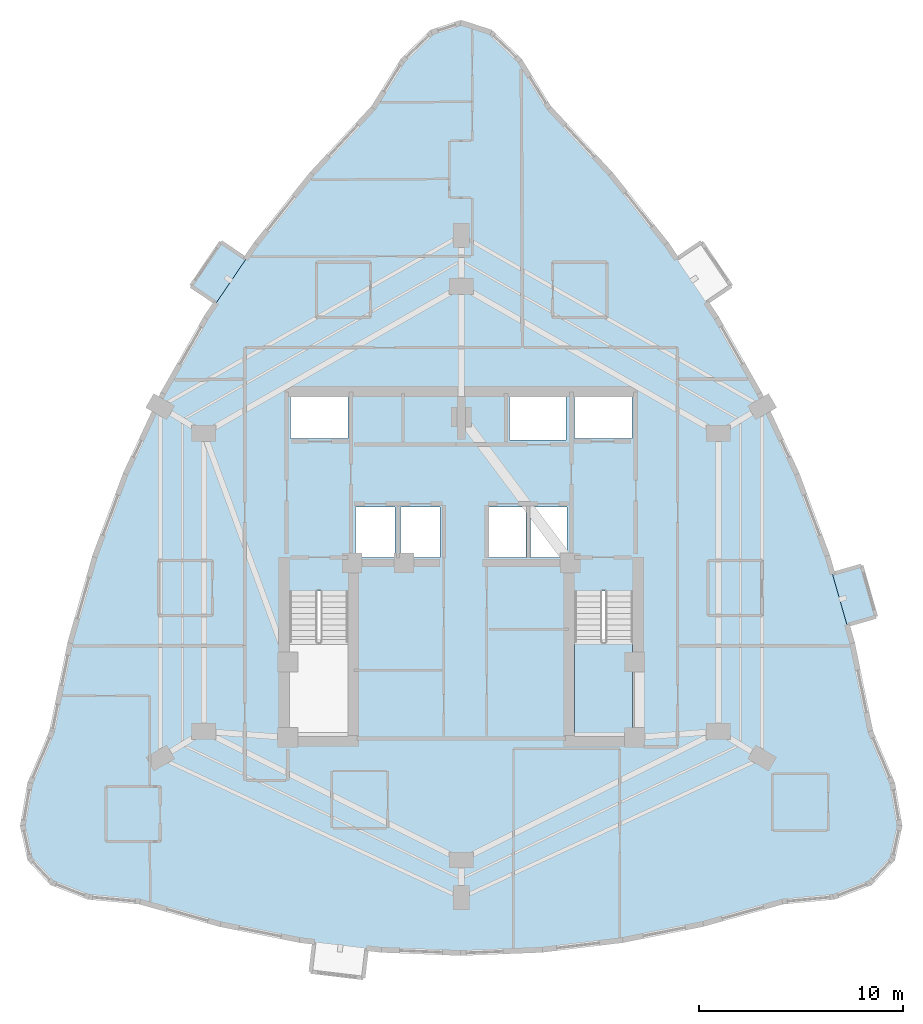
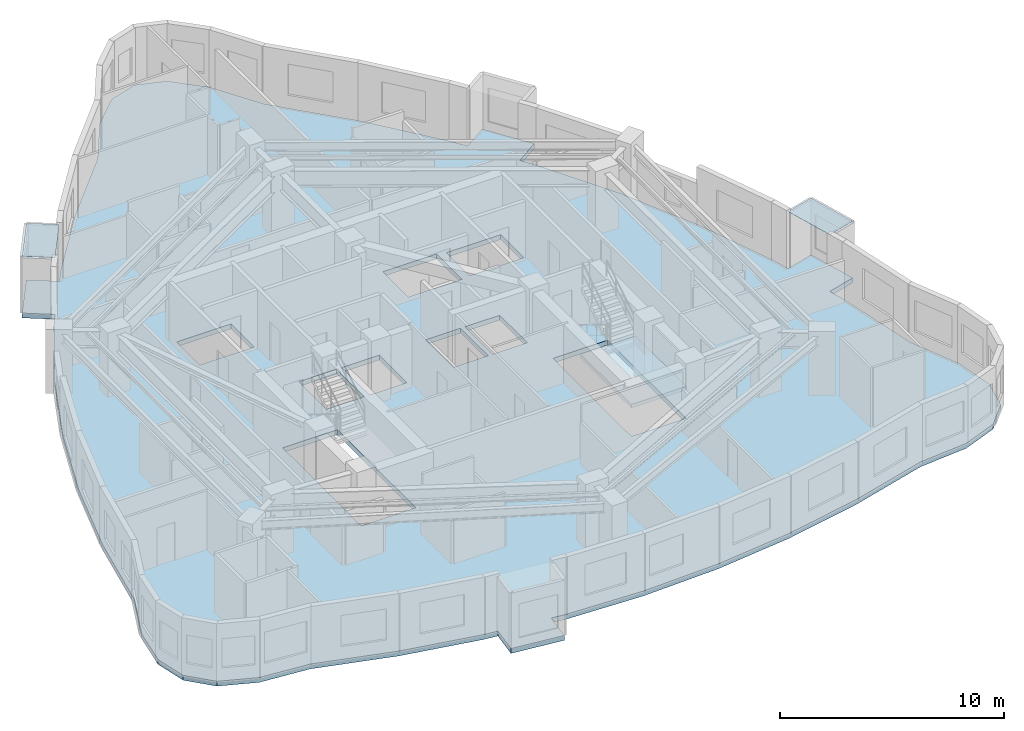
# One storey, part 3 of 11: 2 plates, 2 slabs, 1 element without a shape of its own.
"""IFC4 building model written with IfcOpenShell, lengths in metres."""

from ifc_helpers import new_model, si_unit, direction, frame, origin, place, context, subcontext, project, spatial, polyline, outline, extrude, material, layer, layer_set, type_object, element, aggregate, save


model = new_model("IFC4")

# Units and contexts
model_context = context("Model", 3, precision=1e-05, world=origin(), true_north=direction((0.0, 1.0)))
body_context = subcontext(model_context, "Body", "Model", "MODEL_VIEW")
ifc_project = project(units=[si_unit("LENGTHUNIT", "METRE"), si_unit("AREAUNIT", "SQUARE_METRE"), si_unit("VOLUMEUNIT", "CUBIC_METRE"), si_unit("PLANEANGLEUNIT", "RADIAN"), si_unit("MASSUNIT", "GRAM", prefix="KILO")], contexts=[model_context])

# Site, building, storey
site_placement = place(None, origin())
site = spatial("IfcSite", under=ifc_project, at=site_placement, CompositionType="ELEMENT")
building_placement = place(site_placement, origin())
building = spatial("IfcBuilding", under=site, at=building_placement, Name="Miruveldt Soraemaru", CompositionType="ELEMENT")
storey_placement = place(building_placement, frame((0.0, 0.0, 152.89990234375)))
storey = spatial("IfcBuildingStorey", under=building, at=storey_placement, Name="L42", CompositionType="ELEMENT", Elevation=152.89990234375)

# Plates
ifc_material_1 = material(Name="Standing-seam titanium-zinc sheet", Category="aluminium")
ifc_layer_1 = layer(ifc_material_1, 0.011962890625, Name="Standing-seam titanium-zinc sheet", Category="aluminium")
ifc_layer_set_1 = layer_set([ifc_layer_1], Name="Standing-seam titanium-zinc sheet")
plate_type = type_object("IfcPlateType", Name="PLT-ZINC-12", PredefinedType="SHEET", material=ifc_layer_set_1)
plate_1_placement = place(storey_placement, frame((0.0, 0.0, 3.085205078125)))
element("IfcPlate", 1, at=plate_1_placement, inside=storey, type_object=plate_type, Name="L42 Bay Window Zinc Hood Sheet 4", PredefinedType="SHEET", context=body_context, shape_type="SweptSolid", body=[
    extrude(outline(polyline([(33.456787109375, 58.9375), (31.99853515625, 56.784912109375), (30.773193359375, 57.614990234375), (32.2314453125, 59.767578125), (33.456787109375, 58.9375)])), origin(), (0.0, 0.0, 1.0), 0.011962890625),
])
plate_2_placement = place(storey_placement, frame((0.0, 0.0, 3.085205078125)))
element("IfcPlate", 2, at=plate_2_placement, inside=storey, type_object=plate_type, Name="L42 Bay Window Zinc Hood Sheet 2", PredefinedType="SHEET", context=body_context, shape_type="SweptSolid", body=[
    extrude(outline(polyline([(62.898193359375, 41.010498046875), (62.18310546875, 43.51025390625), (63.60595703125, 43.917236328125), (64.321044921875, 41.41748046875), (62.898193359375, 41.010498046875)])), origin(), (0.0, 0.0, 1.0), 0.011962890625),
])

# Stair, slab
ifc_material_2 = material(Name="Concrete C40/50 (40 MPa)", Category="concrete")
stair_type = type_object("IfcStairType", Name="STAIR-DL-350", PredefinedType="HALF_TURN_STAIR", material=ifc_material_2)
stair_placement = place(storey_placement, origin())
stair = element("IfcStair", 3, at=stair_placement, inside=storey, type_object=stair_type, Name="L42 Protected Exit Stair ST-2", PredefinedType="HALF_TURN_STAIR")
ifc_layer_2 = layer(ifc_material_2, 0.199951171875, Name="Concrete C40/50 (40 MPa)", Category="concrete")
ifc_layer_set_2 = layer_set([ifc_layer_2], Name="Concrete C40/50 (40 MPa)")
slab_type_1 = type_object("IfcSlabType", Name="SLAB-LAND-200", PredefinedType="LANDING", material=ifc_layer_set_2)
slab_1_placement = place(storey_placement, frame((0.0, 0.0, 1.550048828125)))
slab_1 = element("IfcSlab", 4, at=slab_1_placement, type_object=slab_type_1, Name="ST-2 landing 1", PredefinedType="LANDING", context=body_context, shape_type="SweptSolid", body=[
    extrude(outline(polyline([(49.550048828125, 40.197998046875), (49.550048828125, 35.64990234375), (52.39990234375, 35.64990234375), (52.39990234375, 40.197998046875), (49.550048828125, 40.197998046875)])), origin(), (0.0, 0.0, 1.0), 0.199951171875),
])
aggregate(stair, [slab_1])

# Slab
ifc_layer_3 = layer(ifc_material_2, 0.264892578125, Name="Concrete C40/50 (40 MPa)", Category="concrete")
ifc_layer_set_3 = layer_set([ifc_layer_3], Name="Concrete C40/50 (40 MPa)")
slab_type_2 = type_object("IfcSlabType", Name="SLAB-RES2-265", PredefinedType="FLOOR", material=ifc_layer_set_3)
slab_2_placement = place(storey_placement, frame((0.0, 0.0, -0.264892578125)))
element("IfcSlab", 5, at=slab_2_placement, inside=storey, type_object=slab_type_2, Name="L42 Structural Floor Slab", PredefinedType="FLOOR", context=body_context, shape_type="SweptSolid", body=[
    extrude(outline(polyline([(36.623291015625, 24.027099609375), (36.799560546875, 25.49658203125), (38.09033203125, 25.341796875), (36.120361328125, 25.577880859375), (32.1806640625, 26.365966796875), (28.24072265625, 27.46923828125), (25.74169921875, 27.699951171875), (23.956787109375, 28.392578125), (22.8857421875, 29.546875), (22.52880859375, 31.162841796875), (22.8857421875, 33.240478515625), (23.956787109375, 35.77978515625), (24.856689453125, 40.152587890625), (26.062255859375, 44.3681640625), (27.573486328125, 48.426025390625), (29.390625, 52.326171875), (31.513427734375, 56.06884765625), (31.99853515625, 56.784912109375), (30.773193359375, 57.614990234375), (32.2314453125, 59.767578125), (33.456787109375, 58.9375), (32.7275390625, 57.861328125), (33.94189453125, 59.65380859375), (36.676025390625, 63.081298828125), (39.716064453125, 66.35107421875), (41.14404296875, 68.65966796875), (42.572021484375, 70.044677734375), (44.0, 70.50634765625), (45.427978515625, 70.044677734375), (46.85595703125, 68.65966796875), (48.283935546875, 66.35107421875), (51.323974609375, 63.081298828125), (54.05810546875, 59.65380859375), (55.272216796875, 57.861328125), (54.543212890625, 58.9375), (55.7685546875, 59.767578125), (57.226806640625, 57.614990234375), (56.00146484375, 56.784912109375), (56.486572265625, 56.06884765625), (58.609375, 52.326171875), (60.426513671875, 48.426025390625), (61.937744140625, 44.3681640625), (62.18310546875, 43.51025390625), (63.60595703125, 43.917236328125), (64.321044921875, 41.41748046875), (62.898193359375, 41.010498046875), (62.54052734375, 42.260498046875), (63.143310546875, 40.152587890625), (64.043212890625, 35.77978515625), (65.1142578125, 33.240478515625), (65.47119140625, 31.162841796875), (65.1142578125, 29.546875), (64.043212890625, 28.392578125), (62.25830078125, 27.699951171875), (59.75927734375, 27.46923828125), (55.8193359375, 26.365966796875), (51.879638671875, 25.577880859375), (47.939697265625, 25.105224609375), (44.0, 24.94775390625), (40.060302734375, 25.105224609375), (39.381103515625, 25.186767578125), (39.20458984375, 23.71728515625), (36.623291015625, 24.027099609375)]), holes=[polyline([(35.614990234375, 35.6650390625), (38.43505859375, 35.6650390625), (38.43505859375, 42.68505859375), (35.614990234375, 42.68505859375), (35.614990234375, 35.6650390625)]), polyline([(49.56494140625, 35.6650390625), (52.385009765625, 35.6650390625), (52.385009765625, 42.68505859375), (49.56494140625, 42.68505859375), (49.56494140625, 35.6650390625)]), polyline([(40.764892578125, 44.31494140625), (40.764892578125, 46.784912109375), (38.81494140625, 46.784912109375), (38.81494140625, 44.31494140625), (40.764892578125, 44.31494140625)]), polyline([(42.965087890625, 44.31494140625), (42.965087890625, 46.784912109375), (41.034912109375, 46.784912109375), (41.034912109375, 44.31494140625), (42.965087890625, 44.31494140625)]), polyline([(47.1650390625, 44.31494140625), (47.1650390625, 46.784912109375), (45.364990234375, 46.784912109375), (45.364990234375, 44.31494140625), (47.1650390625, 44.31494140625)]), polyline([(49.18505859375, 44.31494140625), (49.18505859375, 46.784912109375), (47.39501953125, 46.784912109375), (47.39501953125, 44.31494140625), (49.18505859375, 44.31494140625)]), polyline([(38.445068359375, 50.135009765625), (38.445068359375, 52.205078125), (35.635009765625, 52.205078125), (35.635009765625, 50.135009765625), (38.445068359375, 50.135009765625)]), polyline([(49.554931640625, 50.135009765625), (52.364990234375, 50.135009765625), (52.364990234375, 52.205078125), (49.554931640625, 52.205078125), (49.554931640625, 50.135009765625)]), polyline([(46.364990234375, 50.06494140625), (49.135009765625, 50.06494140625), (49.135009765625, 52.3349609375), (46.364990234375, 52.3349609375), (46.364990234375, 50.06494140625)])]), origin(), (0.0, 0.0, 1.0), 0.264892578125),
])

save(model, "model.ifc")
